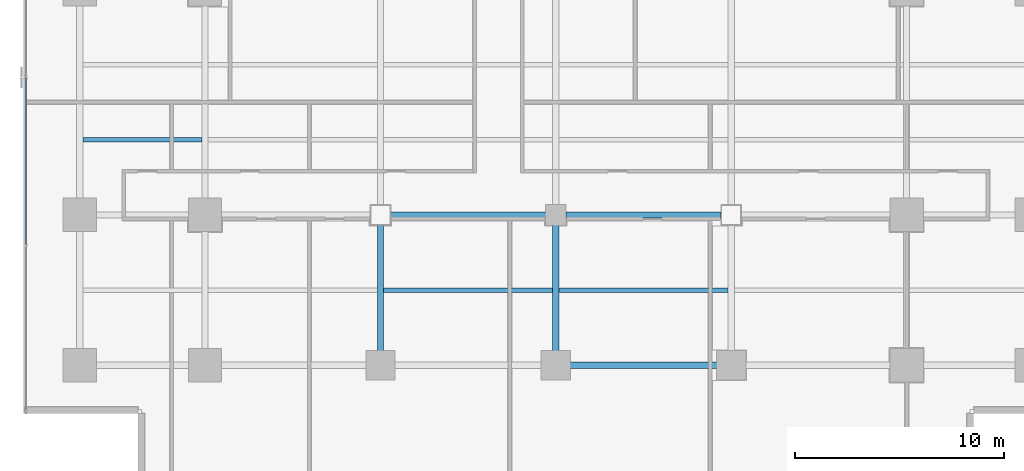
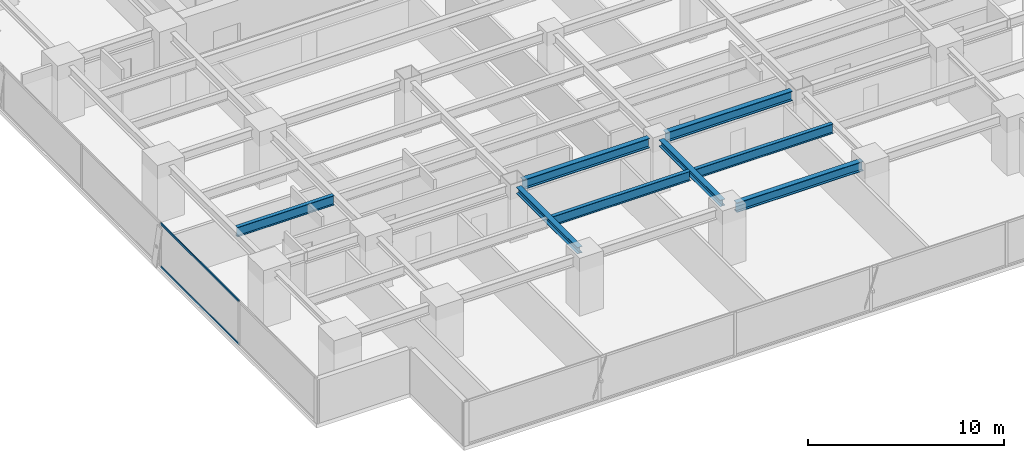
# One storey, part 7 of 34: 8 beams, 2 members, 1 element without a shape of its own.
"""IFC4 building model written with IfcOpenShell, lengths in metres."""

from ifc_helpers import new_model, si_unit, direction, frame, origin, origin_2d, place, context, subcontext, project, spatial, hollow_rectangle, i_section, extrude, source, transform, mapped, material, layer, layer_set, material_profile, profile_set, type_object, element, aggregate, save


model = new_model("IFC4")

# Units and contexts
model_context = context("Model", 3, precision=1e-05, world=origin(), true_north=direction((0.0, 1.0)))
body_context = subcontext(model_context, "Body", "Model", "MODEL_VIEW")
ifc_project = project(units=[si_unit("LENGTHUNIT", "METRE"), si_unit("AREAUNIT", "SQUARE_METRE"), si_unit("VOLUMEUNIT", "CUBIC_METRE"), si_unit("PLANEANGLEUNIT", "RADIAN"), si_unit("MASSUNIT", "GRAM", prefix="KILO")], contexts=[model_context])

# Site, building, storey
site_placement = place(None, origin())
site = spatial("IfcSite", under=ifc_project, at=site_placement, CompositionType="ELEMENT")
building_placement = place(site_placement, origin())
building = spatial("IfcBuilding", under=site, at=building_placement, Name="Sumidabori Civic Tower", CompositionType="ELEMENT")
storey_placement = place(building_placement, frame((0.0, 0.0, 106.39990234375)))
storey = spatial("IfcBuildingStorey", under=building, at=storey_placement, Name="L27", CompositionType="ELEMENT", Elevation=106.39990234375)

# Beams
ifc_material_1 = material(Name="Steel SN490", Category="steel")
ifc_material_profile_1 = material_profile(ifc_material_1, i_section(OverallWidth=0.300048828125, OverallDepth=0.60009765625, WebThickness=0.015380859375, FlangeThickness=0.030029296875, at=origin_2d()), Name="HE 600 B")
ifc_profile_set_1 = profile_set([ifc_material_profile_1], Name="Steel SN490")
beam_type_1 = type_object("IfcBeamType", Name="BM-GIRD-600", PredefinedType="BEAM", material=ifc_profile_set_1)
shared_shape_1 = source(origin(), body_context, "Body", "SweptSolid", [
    extrude(i_section(OverallWidth=0.300048828125, OverallDepth=0.60009765625, WebThickness=0.015380859375, FlangeThickness=0.030029296875, at=origin_2d()), origin(), (0.0, 0.0, 1.0), 7.43994140625),
])
for number, where, z_axis, x_axis, name in (
    (1, (0.47998046875, -18.0, 3.06005859375), (1.0, 0.0, 0.0), (0.0, 1.0, 0.0), "Primary Girder L27 GX-04"),
    (2, (-7.919921875, -10.800048828125, 3.06005859375), (1.0, 0.0, 0.0), (0.0, 1.0, 0.0), "Primary Girder L27 GX-09"),
    (3, (0.47998046875, -10.800048828125, 3.06005859375), (1.0, 0.0, 0.0), (0.0, 1.0, 0.0), "Primary Girder L27 GX-10"),
):
    element("IfcBeam", number, at=place(storey_placement, frame(where, z_axis=z_axis, x_axis=x_axis)), inside=storey, type_object=beam_type_1, Name=name, PredefinedType="BEAM", context=body_context, shape_type="MappedRepresentation", body=[
        mapped(shared_shape_1, transform((0.0, 0.0, 0.0), x_axis=(1.0, 0.0, 0.0), y_axis=(0.0, 1.0, 0.0), z_axis=(0.0, 0.0, 1.0), scale=1.0)),
    ])
ifc_material_profile_2 = material_profile(ifc_material_1, i_section(OverallWidth=0.300048828125, OverallDepth=0.39990234375, WebThickness=0.013427734375, FlangeThickness=0.02392578125, at=origin_2d()), Name="HE 400 B")
ifc_profile_set_2 = profile_set([ifc_material_profile_2], Name="Steel SN490")
beam_type_2 = type_object("IfcBeamType", Name="BM-GIRD-400", PredefinedType="BEAM", material=ifc_profile_set_2)
shared_shape_2 = source(origin(), body_context, "Body", "SweptSolid", [
    extrude(i_section(OverallWidth=0.300048828125, OverallDepth=0.39990234375, WebThickness=0.013427734375, FlangeThickness=0.02392578125, at=origin_2d()), origin(), (0.0, 0.0, 1.0), 6.239990234375),
])
for number, where, z_axis, x_axis, name in (
    (4, (-8.39990234375, -17.52001953125, 3.16015625), (0.0, 1.0, 0.0), (-1.0, 0.0, 0.0), "Primary Girder L27 GY-29"),
    (5, (0.0, -17.52001953125, 3.16015625), (0.0, 1.0, 0.0), (-1.0, 0.0, 0.0), "Primary Girder L27 GY-31"),
):
    element("IfcBeam", number, at=place(storey_placement, frame(where, z_axis=z_axis, x_axis=x_axis)), inside=storey, type_object=beam_type_2, Name=name, PredefinedType="BEAM", context=body_context, shape_type="MappedRepresentation", body=[
        mapped(shared_shape_2, transform((0.0, 0.0, 0.0), x_axis=(1.0, 0.0, 0.0), y_axis=(0.0, 1.0, 0.0), z_axis=(0.0, 0.0, 1.0), scale=1.0)),
    ])
ifc_material_profile_3 = material_profile(ifc_material_1, i_section(OverallWidth=0.219970703125, OverallDepth=0.60009765625, WebThickness=0.011962890625, FlangeThickness=0.01904296875, at=origin_2d()), Name="IPE 600")
ifc_profile_set_3 = profile_set([ifc_material_profile_3], Name="Steel SN490")
beam_type_3 = type_object("IfcBeamType", Name="BM-JST-600", PredefinedType="JOIST", material=ifc_profile_set_3)
shared_shape_3 = source(origin(), body_context, "Body", "SweptSolid", [
    extrude(i_section(OverallWidth=0.219970703125, OverallDepth=0.60009765625, WebThickness=0.011962890625, FlangeThickness=0.01904296875, at=origin_2d()), origin(), (0.0, 0.0, 1.0), 5.699951171875),
])
beam_placement = place(storey_placement, frame((-22.64990234375, -7.199951171875, 3.06005859375), z_axis=(1.0, 0.0, 0.0), x_axis=(0.0, 1.0, 0.0)))
element("IfcBeam", 6, at=beam_placement, inside=storey, type_object=beam_type_3, Name="Outer Bay Floor Joist L27 JSTO-43", PredefinedType="JOIST", context=body_context, shape_type="MappedRepresentation", body=[
    mapped(shared_shape_3, transform((0.0, 0.0, 0.0), x_axis=(1.0, 0.0, 0.0), y_axis=(0.0, 1.0, 0.0), z_axis=(0.0, 0.0, 1.0), scale=1.0)),
])
shared_shape_4 = source(origin(), body_context, "Body", "SweptSolid", [
    extrude(i_section(OverallWidth=0.219970703125, OverallDepth=0.60009765625, WebThickness=0.011962890625, FlangeThickness=0.01904296875, at=origin_2d()), origin(), (0.0, 0.0, 1.0), 8.10009765625),
])
for number, where, z_axis, x_axis, name in (
    (7, (-8.25, -14.39990234375, 3.06005859375), (1.0, 0.0, 0.0), (0.0, 1.0, 0.0), "South Bay Floor Joist L27 JSTS-56"),
    (8, (0.14990234375, -14.39990234375, 3.06005859375), (1.0, 0.0, 0.0), (0.0, 1.0, 0.0), "South Bay Floor Joist L27 JSTS-57"),
):
    element("IfcBeam", number, at=place(storey_placement, frame(where, z_axis=z_axis, x_axis=x_axis)), inside=storey, type_object=beam_type_3, Name=name, PredefinedType="JOIST", context=body_context, shape_type="MappedRepresentation", body=[
        mapped(shared_shape_4, transform((0.0, 0.0, 0.0), x_axis=(1.0, 0.0, 0.0), y_axis=(0.0, 1.0, 0.0), z_axis=(0.0, 0.0, 1.0), scale=1.0)),
    ])

# Curtain wall, members
ifc_material_2 = material(Name="Anodised Bronze Aluminium AW-6063-T6", Category="aluminium")
ifc_layer = layer(ifc_material_2, 0.179931640625, Name="Anodised Bronze Aluminium AW-6063-T6")
ifc_layer_set = layer_set([ifc_layer], Name="Anodised Bronze Aluminium AW-6063-T6")
curtain_wall_type = type_object("IfcCurtainWallType", Name="CW-SYS-3", PredefinedType="NOTDEFINED", material=ifc_layer_set)
curtain_wall_placement = place(storey_placement, origin())
curtain_wall = element("IfcCurtainWall", 9, at=curtain_wall_placement, inside=storey, type_object=curtain_wall_type, Name="Curtain Wall CW:L27:R10", PredefinedType="NOTDEFINED")
ifc_material_profile_4 = material_profile(ifc_material_2, hollow_rectangle(XDim=0.06005859375, YDim=0.1298828125, WallThickness=0.0048828125, at=origin_2d()), Name="ALU TRANSOM 130x60")
ifc_profile_set_4 = profile_set([ifc_material_profile_4], Name="Anodised Bronze Aluminium AW-6063-T6")
member_type = type_object("IfcMemberType", Name="CW-TRN-130", PredefinedType="USERDEFINED", material=ifc_profile_set_4)
shared_shape_5 = source(origin(), body_context, "Body", "SweptSolid", [
    extrude(hollow_rectangle(XDim=0.06005859375, YDim=0.1298828125, WallThickness=0.0048828125, at=origin_2d()), origin(), (0.0, 0.0, 1.0), 7.962890625),
])
member_1_placement = place(storey_placement, frame((-25.3798828125, -4.24658203125, 0.030029296875), z_axis=(0.0, -1.0, 0.0), x_axis=(1.0, 0.0, 0.0)))
member_1 = element("IfcMember", 10, at=member_1_placement, type_object=member_type, Name="CW-3 transom 4.1", ObjectType="TRANSOM", PredefinedType="USERDEFINED", context=body_context, shape_type="MappedRepresentation", body=[
    mapped(shared_shape_5, transform((0.0, 0.0, 0.0), x_axis=(1.0, 0.0, 0.0), y_axis=(0.0, 1.0, 0.0), z_axis=(0.0, 0.0, 1.0), scale=1.0)),
])
member_2_placement = place(storey_placement, frame((-25.3798828125, -4.24658203125, 2.710205078125), z_axis=(0.0, -1.0, 0.0), x_axis=(1.0, 0.0, 0.0)))
member_2 = element("IfcMember", 11, at=member_2_placement, type_object=member_type, Name="CW-3 transom 4.2", ObjectType="TRANSOM", PredefinedType="USERDEFINED", context=body_context, shape_type="MappedRepresentation", body=[
    mapped(shared_shape_5, transform((0.0, 0.0, 0.0), x_axis=(1.0, 0.0, 0.0), y_axis=(0.0, 1.0, 0.0), z_axis=(0.0, 0.0, 1.0), scale=1.0)),
])
aggregate(curtain_wall, [member_1, member_2])

save(model, "model.ifc")
